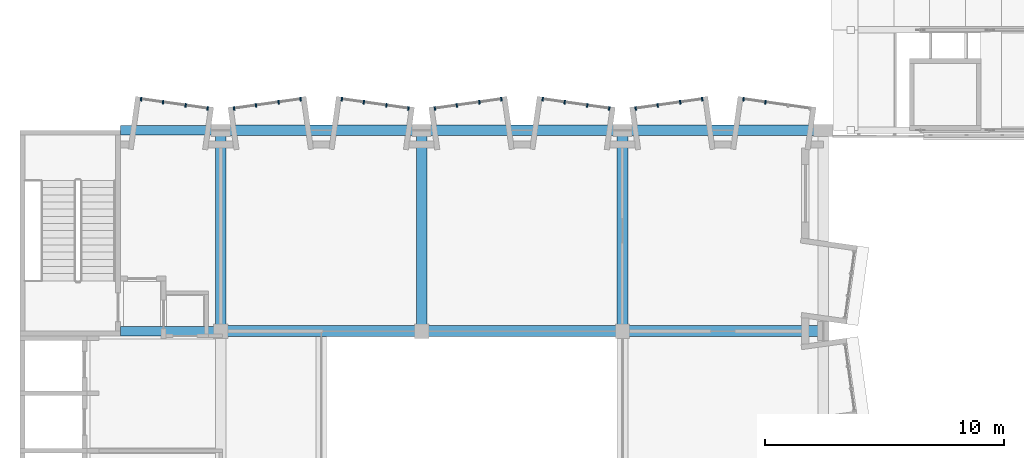
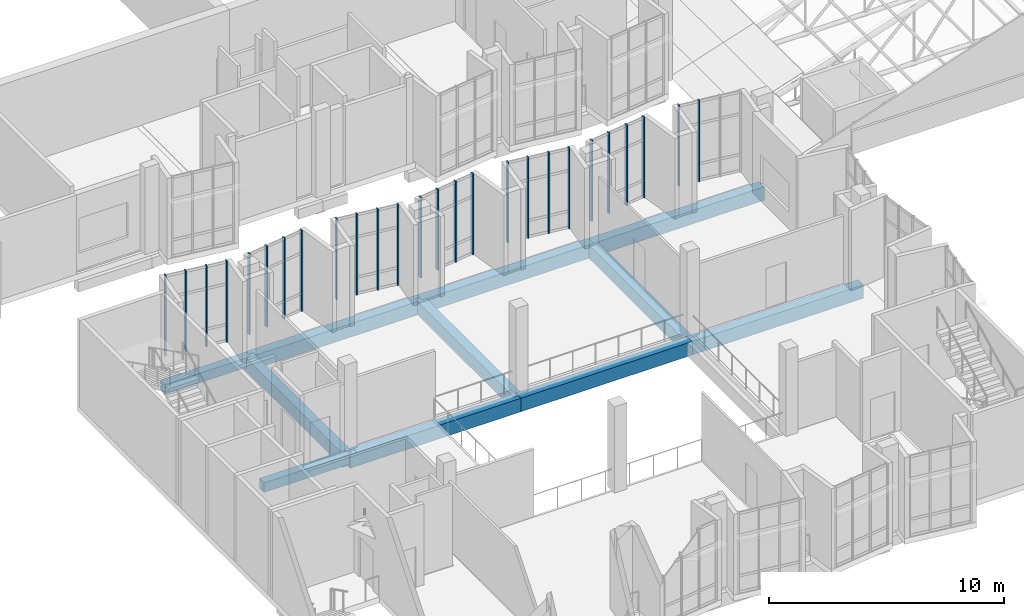
# One storey, part 3 of 95: 26 members, 11 beams, 7 elements without a shape of their own.
"""IFC4 building model written with IfcOpenShell, lengths in metres."""

from ifc_helpers import new_model, si_unit, direction, frame, origin, origin_2d, place, context, subcontext, project, spatial, rectangle, extrude, material, layer, layer_set, material_profile, profile_set, type_object, element, aggregate, save


model = new_model("IFC4")

# Units and contexts
model_context = context("Model", 3, precision=1e-05, world=origin(), true_north=direction((0.0, 1.0)))
body_context = subcontext(model_context, "Body", "Model", "MODEL_VIEW")
ifc_project = project(units=[si_unit("LENGTHUNIT", "METRE"), si_unit("AREAUNIT", "SQUARE_METRE"), si_unit("VOLUMEUNIT", "CUBIC_METRE"), si_unit("PLANEANGLEUNIT", "RADIAN"), si_unit("MASSUNIT", "GRAM", prefix="KILO")], contexts=[model_context])

# Site, building, storey
site_placement = place(None, origin())
site = spatial("IfcSite", under=ifc_project, at=site_placement, CompositionType="ELEMENT")
building_placement = place(site_placement, origin())
building = spatial("IfcBuilding", under=site, at=building_placement, Name="Kiln Court Media Centre", CompositionType="ELEMENT")
storey_placement = place(building_placement, frame((0.0, 0.0, 24.60009765625)))
storey = spatial("IfcBuildingStorey", under=building, at=storey_placement, Name="L05", CompositionType="ELEMENT", Elevation=24.60009765625)

# Curtain wall, members
ifc_material_1 = material(Name="Aluminium 6063-T6", Category="aluminium")
ifc_layer = layer(ifc_material_1, 0.1201171875)
ifc_layer_set = layer_set([ifc_layer], Name="Aluminium unitised bay curtain wall")
curtain_wall_type = type_object("IfcCurtainWallType", Name="Aluminium unitised bay curtain wall", PredefinedType="USERDEFINED", material=ifc_layer_set)
curtain_wall_1_placement = place(storey_placement, origin())
curtain_wall_1 = element("IfcCurtainWall", 1, at=curtain_wall_1_placement, inside=storey, type_object=curtain_wall_type, Name="BAY V6A-N-L05-30 front", ObjectType="UNITISED CURTAIN WALL", PredefinedType="USERDEFINED")
ifc_material_2 = material(Name="Aluminium 6063-T6", Category="aluminium")
ifc_material_profile_1 = material_profile(ifc_material_2, rectangle(XDim=0.06005859375, YDim=0.159912109375, at=origin_2d()), Name="Aluminium mullion 60x160")
ifc_profile_set_1 = profile_set([ifc_material_profile_1], Name="Aluminium 6063-T6")
member_type = type_object("IfcMemberType", Name="Aluminium mullion 60x160", PredefinedType="MULLION", material=ifc_profile_set_1)
member_1_placement = place(storey_placement, frame((5.064453125, 26.504638671875, 0.0), z_axis=(0.0, 0.0, 1.0), x_axis=(0.990269562409, -0.139162472554, 0.0)))
member_1 = element("IfcMember", 2, at=member_1_placement, type_object=member_type, Name="CW5-08 mullion 1", PredefinedType="MULLION", context=body_context, shape_type="SweptSolid", body=[
    extrude(rectangle(XDim=0.06005859375, YDim=0.159912109375, at=origin_2d()), origin(), (0.0, 0.0, 1.0), 4.199951171875),
])
member_2_placement = place(storey_placement, frame((5.982177734375, 26.375732421875, 0.0), z_axis=(0.0, 0.0, 1.0), x_axis=(0.990269562409, -0.139162472554, 0.0)))
member_2 = element("IfcMember", 3, at=member_2_placement, type_object=member_type, Name="CW5-08 mullion 2", PredefinedType="MULLION", context=body_context, shape_type="SweptSolid", body=[
    extrude(rectangle(XDim=0.06005859375, YDim=0.159912109375, at=origin_2d()), origin(), (0.0, 0.0, 1.0), 4.199951171875),
])
member_3_placement = place(storey_placement, frame((6.929443359375, 26.242431640625, 0.0), z_axis=(0.0, 0.0, 1.0), x_axis=(0.990269562409, -0.139162472554, 0.0)))
member_3 = element("IfcMember", 4, at=member_3_placement, type_object=member_type, Name="CW5-08 mullion 3", PredefinedType="MULLION", context=body_context, shape_type="SweptSolid", body=[
    extrude(rectangle(XDim=0.06005859375, YDim=0.159912109375, at=origin_2d()), origin(), (0.0, 0.0, 1.0), 4.199951171875),
])
member_4_placement = place(storey_placement, frame((7.84716796875, 26.113525390625, 0.0), z_axis=(0.0, 0.0, 1.0), x_axis=(0.990269562409, -0.139162472554, 0.0)))
member_4 = element("IfcMember", 5, at=member_4_placement, type_object=member_type, Name="CW5-08 mullion 4", PredefinedType="MULLION", context=body_context, shape_type="SweptSolid", body=[
    extrude(rectangle(XDim=0.06005859375, YDim=0.159912109375, at=origin_2d()), origin(), (0.0, 0.0, 1.0), 4.199951171875),
])
aggregate(curtain_wall_1, [member_1, member_2, member_3, member_4])

curtain_wall_2_placement = place(storey_placement, origin())
curtain_wall_2 = element("IfcCurtainWall", 6, at=curtain_wall_2_placement, inside=storey, type_object=curtain_wall_type, Name="BAY V6A-N-L05-31 front", ObjectType="UNITISED CURTAIN WALL", PredefinedType="USERDEFINED")
member_5_placement = place(storey_placement, frame((8.952880859375, 26.113525390625, 0.0), z_axis=(0.0, 0.0, 1.0), x_axis=(0.990269562409, 0.139162472554, 0.0)))
member_5 = element("IfcMember", 7, at=member_5_placement, type_object=member_type, Name="CW5-09 mullion 1", PredefinedType="MULLION", context=body_context, shape_type="SweptSolid", body=[
    extrude(rectangle(XDim=0.06005859375, YDim=0.159912109375, at=origin_2d()), origin(), (0.0, 0.0, 1.0), 4.199951171875),
])
member_6_placement = place(storey_placement, frame((9.870361328125, 26.242431640625, 0.0), z_axis=(0.0, 0.0, 1.0), x_axis=(0.990269562409, 0.139162472554, 0.0)))
member_6 = element("IfcMember", 8, at=member_6_placement, type_object=member_type, Name="CW5-09 mullion 2", PredefinedType="MULLION", context=body_context, shape_type="SweptSolid", body=[
    extrude(rectangle(XDim=0.06005859375, YDim=0.159912109375, at=origin_2d()), origin(), (0.0, 0.0, 1.0), 4.199951171875),
])
member_7_placement = place(storey_placement, frame((10.81787109375, 26.375732421875, 0.0), z_axis=(0.0, 0.0, 1.0), x_axis=(0.990269562409, 0.139162472554, 0.0)))
member_7 = element("IfcMember", 9, at=member_7_placement, type_object=member_type, Name="CW5-09 mullion 3", PredefinedType="MULLION", context=body_context, shape_type="SweptSolid", body=[
    extrude(rectangle(XDim=0.06005859375, YDim=0.159912109375, at=origin_2d()), origin(), (0.0, 0.0, 1.0), 4.199951171875),
])
member_8_placement = place(storey_placement, frame((11.735595703125, 26.504638671875, 0.0), z_axis=(0.0, 0.0, 1.0), x_axis=(0.990269562409, 0.139162472554, 0.0)))
member_8 = element("IfcMember", 10, at=member_8_placement, type_object=member_type, Name="CW5-09 mullion 4", PredefinedType="MULLION", context=body_context, shape_type="SweptSolid", body=[
    extrude(rectangle(XDim=0.06005859375, YDim=0.159912109375, at=origin_2d()), origin(), (0.0, 0.0, 1.0), 4.199951171875),
])
aggregate(curtain_wall_2, [member_5, member_6, member_7, member_8])

curtain_wall_3_placement = place(storey_placement, origin())
curtain_wall_3 = element("IfcCurtainWall", 11, at=curtain_wall_3_placement, inside=storey, type_object=curtain_wall_type, Name="BAY V6A-N-L05-32 front", ObjectType="UNITISED CURTAIN WALL", PredefinedType="USERDEFINED")
member_9_placement = place(storey_placement, frame((13.464599609375, 26.504638671875, 0.0), z_axis=(0.0, 0.0, 1.0), x_axis=(0.990269562409, -0.139162472554, 0.0)))
member_9 = element("IfcMember", 12, at=member_9_placement, type_object=member_type, Name="CW5-10 mullion 1", PredefinedType="MULLION", context=body_context, shape_type="SweptSolid", body=[
    extrude(rectangle(XDim=0.06005859375, YDim=0.159912109375, at=origin_2d()), origin(), (0.0, 0.0, 1.0), 4.199951171875),
])
member_10_placement = place(storey_placement, frame((14.382080078125, 26.375732421875, 0.0), z_axis=(0.0, 0.0, 1.0), x_axis=(0.990269562409, -0.139162472554, 0.0)))
member_10 = element("IfcMember", 13, at=member_10_placement, type_object=member_type, Name="CW5-10 mullion 2", PredefinedType="MULLION", context=body_context, shape_type="SweptSolid", body=[
    extrude(rectangle(XDim=0.06005859375, YDim=0.159912109375, at=origin_2d()), origin(), (0.0, 0.0, 1.0), 4.199951171875),
])
member_11_placement = place(storey_placement, frame((15.32958984375, 26.242431640625, 0.0), z_axis=(0.0, 0.0, 1.0), x_axis=(0.990269562409, -0.139162472554, 0.0)))
member_11 = element("IfcMember", 14, at=member_11_placement, type_object=member_type, Name="CW5-10 mullion 3", PredefinedType="MULLION", context=body_context, shape_type="SweptSolid", body=[
    extrude(rectangle(XDim=0.06005859375, YDim=0.159912109375, at=origin_2d()), origin(), (0.0, 0.0, 1.0), 4.199951171875),
])
member_12_placement = place(storey_placement, frame((16.2470703125, 26.113525390625, 0.0), z_axis=(0.0, 0.0, 1.0), x_axis=(0.990269562409, -0.139162472554, 0.0)))
member_12 = element("IfcMember", 15, at=member_12_placement, type_object=member_type, Name="CW5-10 mullion 4", PredefinedType="MULLION", context=body_context, shape_type="SweptSolid", body=[
    extrude(rectangle(XDim=0.06005859375, YDim=0.159912109375, at=origin_2d()), origin(), (0.0, 0.0, 1.0), 4.199951171875),
])
aggregate(curtain_wall_3, [member_9, member_10, member_11, member_12])

curtain_wall_4_placement = place(storey_placement, origin())
curtain_wall_4 = element("IfcCurtainWall", 16, at=curtain_wall_4_placement, inside=storey, type_object=curtain_wall_type, Name="BAY V6A-N-L05-33 front", ObjectType="UNITISED CURTAIN WALL", PredefinedType="USERDEFINED")
member_13_placement = place(storey_placement, frame((17.352783203125, 26.113525390625, 0.0), z_axis=(0.0, 0.0, 1.0), x_axis=(0.990269562409, 0.139162472554, 0.0)))
member_13 = element("IfcMember", 17, at=member_13_placement, type_object=member_type, Name="CW5-11 mullion 1", PredefinedType="MULLION", context=body_context, shape_type="SweptSolid", body=[
    extrude(rectangle(XDim=0.06005859375, YDim=0.159912109375, at=origin_2d()), origin(), (0.0, 0.0, 1.0), 4.199951171875),
])
member_14_placement = place(storey_placement, frame((18.2705078125, 26.242431640625, 0.0), z_axis=(0.0, 0.0, 1.0), x_axis=(0.990269562409, 0.139162472554, 0.0)))
member_14 = element("IfcMember", 18, at=member_14_placement, type_object=member_type, Name="CW5-11 mullion 2", PredefinedType="MULLION", context=body_context, shape_type="SweptSolid", body=[
    extrude(rectangle(XDim=0.06005859375, YDim=0.159912109375, at=origin_2d()), origin(), (0.0, 0.0, 1.0), 4.199951171875),
])
member_15_placement = place(storey_placement, frame((19.2177734375, 26.375732421875, 0.0), z_axis=(0.0, 0.0, 1.0), x_axis=(0.990269562409, 0.139162472554, 0.0)))
member_15 = element("IfcMember", 19, at=member_15_placement, type_object=member_type, Name="CW5-11 mullion 3", PredefinedType="MULLION", context=body_context, shape_type="SweptSolid", body=[
    extrude(rectangle(XDim=0.06005859375, YDim=0.159912109375, at=origin_2d()), origin(), (0.0, 0.0, 1.0), 4.199951171875),
])
member_16_placement = place(storey_placement, frame((20.135498046875, 26.504638671875, 0.0), z_axis=(0.0, 0.0, 1.0), x_axis=(0.990269562409, 0.139162472554, 0.0)))
member_16 = element("IfcMember", 20, at=member_16_placement, type_object=member_type, Name="CW5-11 mullion 4", PredefinedType="MULLION", context=body_context, shape_type="SweptSolid", body=[
    extrude(rectangle(XDim=0.06005859375, YDim=0.159912109375, at=origin_2d()), origin(), (0.0, 0.0, 1.0), 4.199951171875),
])
aggregate(curtain_wall_4, [member_13, member_14, member_15, member_16])

curtain_wall_5_placement = place(storey_placement, origin())
curtain_wall_5 = element("IfcCurtainWall", 21, at=curtain_wall_5_placement, inside=storey, type_object=curtain_wall_type, Name="BAY V6A-N-L05-34 front", ObjectType="UNITISED CURTAIN WALL", PredefinedType="USERDEFINED")
member_17_placement = place(storey_placement, frame((21.864501953125, 26.504638671875, 0.0), z_axis=(0.0, 0.0, 1.0), x_axis=(0.990269562409, -0.139162472554, 0.0)))
member_17 = element("IfcMember", 22, at=member_17_placement, type_object=member_type, Name="CW5-12 mullion 1", PredefinedType="MULLION", context=body_context, shape_type="SweptSolid", body=[
    extrude(rectangle(XDim=0.06005859375, YDim=0.159912109375, at=origin_2d()), origin(), (0.0, 0.0, 1.0), 4.199951171875),
])
member_18_placement = place(storey_placement, frame((22.7822265625, 26.375732421875, 0.0), z_axis=(0.0, 0.0, 1.0), x_axis=(0.990269562409, -0.139162472554, 0.0)))
member_18 = element("IfcMember", 23, at=member_18_placement, type_object=member_type, Name="CW5-12 mullion 2", PredefinedType="MULLION", context=body_context, shape_type="SweptSolid", body=[
    extrude(rectangle(XDim=0.06005859375, YDim=0.159912109375, at=origin_2d()), origin(), (0.0, 0.0, 1.0), 4.199951171875),
])
member_19_placement = place(storey_placement, frame((23.7294921875, 26.242431640625, 0.0), z_axis=(0.0, 0.0, 1.0), x_axis=(0.990269562409, -0.139162472554, 0.0)))
member_19 = element("IfcMember", 24, at=member_19_placement, type_object=member_type, Name="CW5-12 mullion 3", PredefinedType="MULLION", context=body_context, shape_type="SweptSolid", body=[
    extrude(rectangle(XDim=0.06005859375, YDim=0.159912109375, at=origin_2d()), origin(), (0.0, 0.0, 1.0), 4.199951171875),
])
member_20_placement = place(storey_placement, frame((24.647216796875, 26.113525390625, 0.0), z_axis=(0.0, 0.0, 1.0), x_axis=(0.990269562409, -0.139162472554, 0.0)))
member_20 = element("IfcMember", 25, at=member_20_placement, type_object=member_type, Name="CW5-12 mullion 4", PredefinedType="MULLION", context=body_context, shape_type="SweptSolid", body=[
    extrude(rectangle(XDim=0.06005859375, YDim=0.159912109375, at=origin_2d()), origin(), (0.0, 0.0, 1.0), 4.199951171875),
])
aggregate(curtain_wall_5, [member_17, member_18, member_19, member_20])

curtain_wall_6_placement = place(storey_placement, origin())
curtain_wall_6 = element("IfcCurtainWall", 26, at=curtain_wall_6_placement, inside=storey, type_object=curtain_wall_type, Name="BAY V6A-N-L05-35 front", ObjectType="UNITISED CURTAIN WALL", PredefinedType="USERDEFINED")
member_21_placement = place(storey_placement, frame((25.7529296875, 26.113525390625, 0.0), z_axis=(0.0, 0.0, 1.0), x_axis=(0.990269562409, 0.139162472554, 0.0)))
member_21 = element("IfcMember", 27, at=member_21_placement, type_object=member_type, Name="CW5-13 mullion 1", PredefinedType="MULLION", context=body_context, shape_type="SweptSolid", body=[
    extrude(rectangle(XDim=0.06005859375, YDim=0.159912109375, at=origin_2d()), origin(), (0.0, 0.0, 1.0), 4.199951171875),
])
member_22_placement = place(storey_placement, frame((26.67041015625, 26.242431640625, 0.0), z_axis=(0.0, 0.0, 1.0), x_axis=(0.990269562409, 0.139162472554, 0.0)))
member_22 = element("IfcMember", 28, at=member_22_placement, type_object=member_type, Name="CW5-13 mullion 2", PredefinedType="MULLION", context=body_context, shape_type="SweptSolid", body=[
    extrude(rectangle(XDim=0.06005859375, YDim=0.159912109375, at=origin_2d()), origin(), (0.0, 0.0, 1.0), 4.199951171875),
])
member_23_placement = place(storey_placement, frame((27.617919921875, 26.375732421875, 0.0), z_axis=(0.0, 0.0, 1.0), x_axis=(0.990269562409, 0.139162472554, 0.0)))
member_23 = element("IfcMember", 29, at=member_23_placement, type_object=member_type, Name="CW5-13 mullion 3", PredefinedType="MULLION", context=body_context, shape_type="SweptSolid", body=[
    extrude(rectangle(XDim=0.06005859375, YDim=0.159912109375, at=origin_2d()), origin(), (0.0, 0.0, 1.0), 4.199951171875),
])
member_24_placement = place(storey_placement, frame((28.535400390625, 26.504638671875, 0.0), z_axis=(0.0, 0.0, 1.0), x_axis=(0.990269562409, 0.139162472554, 0.0)))
member_24 = element("IfcMember", 30, at=member_24_placement, type_object=member_type, Name="CW5-13 mullion 4", PredefinedType="MULLION", context=body_context, shape_type="SweptSolid", body=[
    extrude(rectangle(XDim=0.06005859375, YDim=0.159912109375, at=origin_2d()), origin(), (0.0, 0.0, 1.0), 4.199951171875),
])
aggregate(curtain_wall_6, [member_21, member_22, member_23, member_24])

curtain_wall_7_placement = place(storey_placement, origin())
curtain_wall_7 = element("IfcCurtainWall", 31, at=curtain_wall_7_placement, inside=storey, type_object=curtain_wall_type, Name="BAY V6A-N-L05-36 front", ObjectType="UNITISED CURTAIN WALL", PredefinedType="USERDEFINED")
member_25_placement = place(storey_placement, frame((30.264404296875, 26.504638671875, 0.0), z_axis=(0.0, 0.0, 1.0), x_axis=(0.990269562409, -0.139162472554, 0.0)))
member_25 = element("IfcMember", 32, at=member_25_placement, type_object=member_type, Name="CW5-14 mullion 1", PredefinedType="MULLION", context=body_context, shape_type="SweptSolid", body=[
    extrude(rectangle(XDim=0.06005859375, YDim=0.159912109375, at=origin_2d()), origin(), (0.0, 0.0, 1.0), 4.199951171875),
])
member_26_placement = place(storey_placement, frame((31.18212890625, 26.375732421875, 0.0), z_axis=(0.0, 0.0, 1.0), x_axis=(0.990269562409, -0.139162472554, 0.0)))
member_26 = element("IfcMember", 33, at=member_26_placement, type_object=member_type, Name="CW5-14 mullion 2", PredefinedType="MULLION", context=body_context, shape_type="SweptSolid", body=[
    extrude(rectangle(XDim=0.06005859375, YDim=0.159912109375, at=origin_2d()), origin(), (0.0, 0.0, 1.0), 4.199951171875),
])
aggregate(curtain_wall_7, [member_25, member_26])

# Beams
ifc_material_3 = material(Name="Concrete C30/37", Category="concrete")
ifc_material_profile_2 = material_profile(ifc_material_3, rectangle(XDim=0.39990234375, YDim=0.5, at=origin_2d()), Name="RC 400x500")
ifc_profile_set_2 = profile_set([ifc_material_profile_2], Name="Concrete C30/37")
beam_type_1 = type_object("IfcBeamType", Name="Concrete C30/37 beam 400x500", PredefinedType="BEAM", material=ifc_profile_set_2)
for number, where, z_axis, x_axis, name in (
    (34, (4.199951171875, 16.800048828125, -0.550048828125), (1.0, 0.0, 0.0), (0.0, 1.0, 0.0), "L05-B-1020"),
    (35, (4.199951171875, 25.199951171875, -0.550048828125), (1.0, 0.0, 0.0), (0.0, 1.0, 0.0), "L05-B-1024"),
):
    element("IfcBeam", number, at=place(storey_placement, frame(where, z_axis=z_axis, x_axis=x_axis)), inside=storey, type_object=beam_type_1, Name=name, PredefinedType="BEAM", context=body_context, shape_type="SweptSolid", body=[
        extrude(rectangle(XDim=0.39990234375, YDim=0.5, at=origin_2d()), origin(), (0.0, 0.0, 1.0), 4.199951171875),
    ])
ifc_material_4 = material(Name="Concrete C30/37", Category="concrete")
ifc_material_profile_3 = material_profile(ifc_material_4, rectangle(XDim=0.449951171875, YDim=0.699951171875, at=origin_2d()), Name="RC 450x700")
ifc_profile_set_3 = profile_set([ifc_material_profile_3], Name="Concrete C30/37")
beam_type_2 = type_object("IfcBeamType", Name="Concrete C30/37 beam 450x700", PredefinedType="BEAM", material=ifc_profile_set_3)
for number, where, z_axis, x_axis, name in (
    (36, (8.39990234375, 16.800048828125, -0.650146484375), (0.0, 1.0, 0.0), (-1.0, 0.0, 0.0), "L05-B-1003"),
    (37, (16.800048828125, 16.800048828125, -0.650146484375), (0.0, 1.0, 0.0), (-1.0, 0.0, 0.0), "L05-B-1005"),
    (38, (25.199951171875, 16.800048828125, -0.650146484375), (0.0, 1.0, 0.0), (-1.0, 0.0, 0.0), "L05-B-1008"),
):
    element("IfcBeam", number, at=place(storey_placement, frame(where, z_axis=z_axis, x_axis=x_axis)), inside=storey, type_object=beam_type_2, Name=name, PredefinedType="BEAM", context=body_context, shape_type="SweptSolid", body=[
        extrude(rectangle(XDim=0.449951171875, YDim=0.699951171875, at=origin_2d()), origin(), (0.0, 0.0, 1.0), 8.39990234375),
    ])
beam_1_placement = place(storey_placement, frame((8.39990234375, 16.800048828125, -0.650146484375), z_axis=(1.0, 0.0, 0.0), x_axis=(0.0, 1.0, 0.0)))
element("IfcBeam", 39, at=beam_1_placement, inside=storey, type_object=beam_type_2, Name="L05-B-1021", PredefinedType="BEAM", context=body_context, shape_type="SweptSolid", body=[
    extrude(rectangle(XDim=0.449951171875, YDim=0.699951171875, at=origin_2d()), origin(), (0.0, 0.0, 1.0), 8.400146484375),
])
beam_2_placement = place(storey_placement, frame((16.800048828125, 16.800048828125, -0.650146484375), z_axis=(1.0, 0.0, 0.0), x_axis=(0.0, 1.0, 0.0)))
element("IfcBeam", 40, at=beam_2_placement, inside=storey, type_object=beam_type_2, Name="L05-B-1022", PredefinedType="BEAM", context=body_context, shape_type="SweptSolid", body=[
    extrude(rectangle(XDim=0.449951171875, YDim=0.699951171875, at=origin_2d()), origin(), (0.0, 0.0, 1.0), 8.39990234375),
])
for number, where, z_axis, x_axis, name in (
    (41, (25.199951171875, 16.800048828125, -0.650146484375), (1.0, 0.0, 0.0), (0.0, 1.0, 0.0), "L05-B-1023"),
    (42, (8.39990234375, 25.199951171875, -0.650146484375), (1.0, 0.0, 0.0), (0.0, 1.0, 0.0), "L05-B-1025"),
):
    element("IfcBeam", number, at=place(storey_placement, frame(where, z_axis=z_axis, x_axis=x_axis)), inside=storey, type_object=beam_type_2, Name=name, PredefinedType="BEAM", context=body_context, shape_type="SweptSolid", body=[
        extrude(rectangle(XDim=0.449951171875, YDim=0.699951171875, at=origin_2d()), origin(), (0.0, 0.0, 1.0), 8.400146484375),
    ])
beam_3_placement = place(storey_placement, frame((16.800048828125, 25.199951171875, -0.650146484375), z_axis=(1.0, 0.0, 0.0), x_axis=(0.0, 1.0, 0.0)))
element("IfcBeam", 43, at=beam_3_placement, inside=storey, type_object=beam_type_2, Name="L05-B-1026", PredefinedType="BEAM", context=body_context, shape_type="SweptSolid", body=[
    extrude(rectangle(XDim=0.449951171875, YDim=0.699951171875, at=origin_2d()), origin(), (0.0, 0.0, 1.0), 8.39990234375),
])
beam_4_placement = place(storey_placement, frame((25.199951171875, 25.199951171875, -0.650146484375), z_axis=(1.0, 0.0, 0.0), x_axis=(0.0, 1.0, 0.0)))
element("IfcBeam", 44, at=beam_4_placement, inside=storey, type_object=beam_type_2, Name="L05-B-1027", PredefinedType="BEAM", context=body_context, shape_type="SweptSolid", body=[
    extrude(rectangle(XDim=0.449951171875, YDim=0.699951171875, at=origin_2d()), origin(), (0.0, 0.0, 1.0), 8.400146484375),
])

save(model, "model.ifc")
